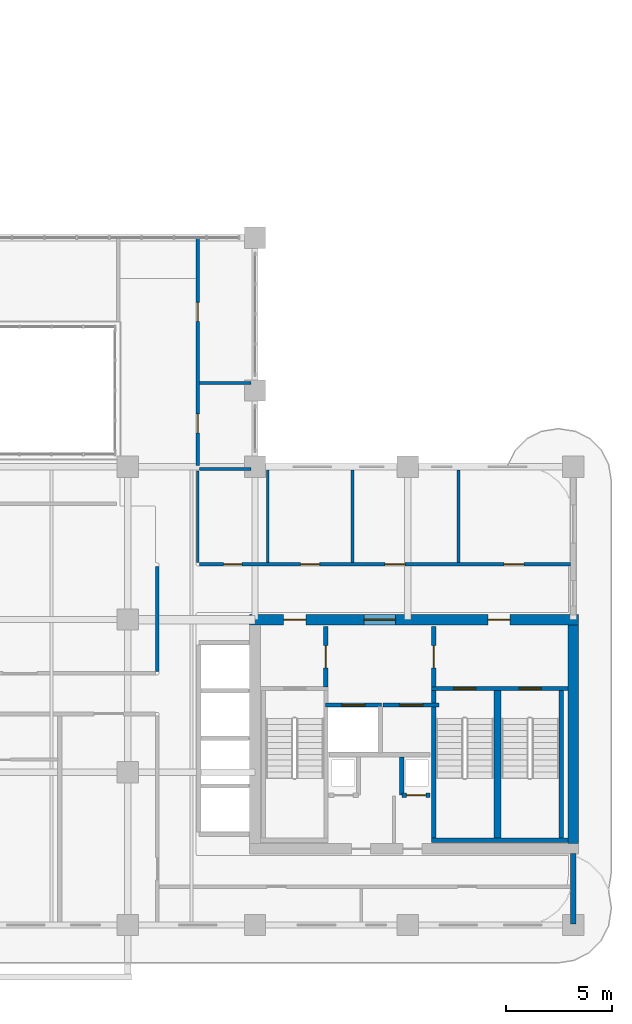
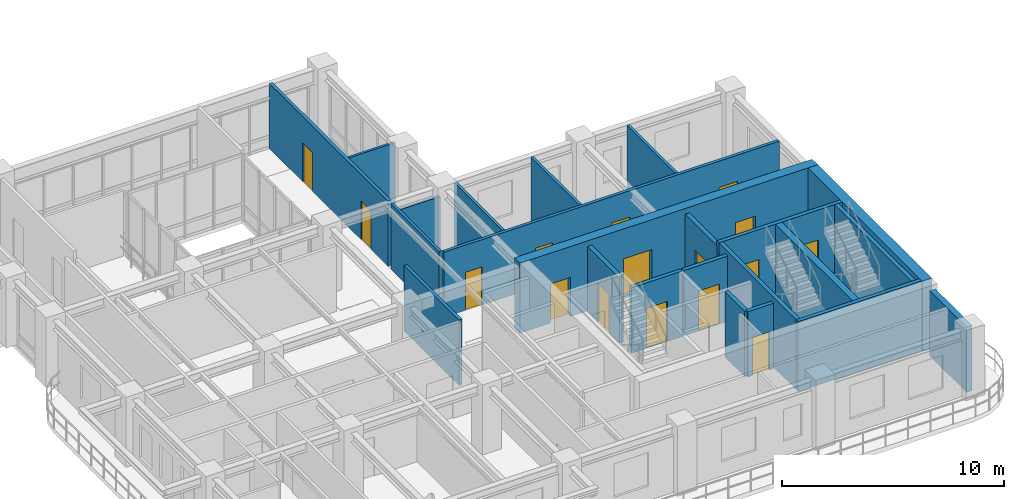
# One storey, part 13 of 19: 23 walls, 16 doors, 16 openings.
"""IFC4 building model written with IfcOpenShell, lengths in metres."""

from ifc_helpers import new_model, si_unit, derived_unit, direction, frame, frame_2d, origin, place, context, subcontext, project, spatial, rectangle, extrude, source, transform, mapped, material, layer, layer_set, type_object, type_shapes, element, fill, save


model = new_model("IFC4")

# Units and contexts
model_context = context("Model", 3, precision=1e-05, world=origin(), true_north=direction((0.0, 1.0)))
body_context = subcontext(model_context, "Body", "Model", "MODEL_VIEW")
ifc_project = project(units=[si_unit("LENGTHUNIT", "METRE"), si_unit("AREAUNIT", "SQUARE_METRE"), si_unit("VOLUMEUNIT", "CUBIC_METRE"), si_unit("PLANEANGLEUNIT", "RADIAN"), si_unit("MASSUNIT", "GRAM", prefix="KILO"), si_unit("THERMODYNAMICTEMPERATUREUNIT", "KELVIN"), si_unit("POWERUNIT", "WATT"), derived_unit("THERMALTRANSMITTANCEUNIT", [(si_unit("POWERUNIT", "WATT"), 1), (si_unit("AREAUNIT", "SQUARE_METRE"), -1), (si_unit("THERMODYNAMICTEMPERATUREUNIT", "KELVIN"), -1)])], contexts=[model_context])

# Site, building, storey
site_placement = place(None, origin())
site = spatial("IfcSite", under=ifc_project, at=site_placement, CompositionType="ELEMENT")
building_placement = place(site_placement, origin())
building = spatial("IfcBuilding", under=site, at=building_placement, Name="Zahravan Archway Hotel and Residences", CompositionType="ELEMENT")
storey_placement = place(building_placement, frame((0.0, 0.0, 150.300048828125)))
storey = spatial("IfcBuildingStorey", under=building, at=storey_placement, Name="L37", CompositionType="ELEMENT", Elevation=150.300048828125)

# Wall, openings, doors
ifc_material_1 = material(Name="Concrete C60/75", Category="concrete")
ifc_layer_1 = layer(ifc_material_1, 0.5, Name="Concrete C60/75", Category="concrete")
ifc_layer_set_1 = layer_set([ifc_layer_1], Name="Concrete C60/75")
wall_type_1 = type_object("IfcWallType", Name="CW-CORE-500", PredefinedType="SHEAR", material=ifc_layer_set_1)
wall_1_placement = place(storey_placement, frame((34.550048828125, 14.39990234375, 0.0), z_axis=(0.0, 0.0, 1.0), x_axis=(1.0, 0.0, 0.0)))
wall_1 = element("IfcWall", 1, at=wall_1_placement, inside=storey, type_object=wall_type_1, Name="L37 Core A Shear N Wall 500 mm", PredefinedType="SHEAR", context=body_context, shape_type="SweptSolid", body=[
    extrude(rectangle(XDim=15.5, YDim=0.5, at=frame_2d((7.75, 0.0))), origin(), (0.0, 0.0, 1.0), 3.849853515625),
])
opening_1_placement = place(wall_1_placement, frame((5.3798828125, 0.0, 0.0)))
opening_1 = element("IfcOpeningElement", 2, at=opening_1_placement, cuts=wall_1, Name="Opening FD-L1", PredefinedType="OPENING", context=body_context, shape_type="SweptSolid", body=[
    extrude(rectangle(XDim=1.5, YDim=2.199951171875, at=frame_2d((0.75, 1.10009765625))), frame((0.0, 0.260009765625, 0.0), z_axis=(0.0, -1.0, 0.0), x_axis=(1.0, 0.0, 0.0)), (0.0, 0.0, 1.0), 0.52001953125),
])
opening_2_placement = place(wall_1_placement, frame((1.594970703125, 0.0, 0.0)))
opening_2 = element("IfcOpeningElement", 3, at=opening_2_placement, cuts=wall_1, Name="Opening FD-L2", PredefinedType="OPENING", context=body_context, shape_type="SweptSolid", body=[
    extrude(rectangle(XDim=1.050048828125, YDim=2.14990234375, at=frame_2d((0.52490234375, 1.074951171875))), frame((0.0, 0.260009765625, 0.0), z_axis=(0.0, -1.0, 0.0), x_axis=(1.0, 0.0, 0.0)), (0.0, 0.0, 1.0), 0.52001953125),
])
opening_3_placement = place(wall_1_placement, frame((11.22509765625, 0.0, 0.0)))
opening_3 = element("IfcOpeningElement", 4, at=opening_3_placement, cuts=wall_1, Name="Opening FD-L2", PredefinedType="OPENING", context=body_context, shape_type="SweptSolid", body=[
    extrude(rectangle(XDim=1.050048828125, YDim=2.14990234375, at=frame_2d((0.52490234375, 1.074951171875))), frame((0.0, 0.260009765625, 0.0), z_axis=(0.0, -1.0, 0.0), x_axis=(1.0, 0.0, 0.0)), (0.0, 0.0, 1.0), 0.52001953125),
])
ifc_material_2 = material(Name="Fire-Rated Painted Steel", Category="steel")
door_type_1 = type_object("IfcDoorType", Name="FD-LOBBY-1100", OperationType="NOTDEFINED", PredefinedType="DOOR", material=ifc_material_2)
shared_shape_1 = source(origin(), body_context, "Body", "SweptSolid", [
    extrude(rectangle(XDim=1.050048828125, YDim=2.14990234375, at=frame_2d((0.52490234375, 1.074951171875))), frame((0.0, 0.02490234375, 0.0), z_axis=(0.0, -1.0, 0.0), x_axis=(1.0, 0.0, 0.0)), (0.0, 0.0, 1.0), 0.050048828125),
])
type_shapes(door_type_1, [shared_shape_1])
door_1_placement = place(opening_2_placement, origin())
door_1 = element("IfcDoor", 5, at=door_1_placement, inside=storey, type_object=door_type_1, Name="L37 Core A West Stair Lobby Door", OperationType="SINGLE_SWING_RIGHT", OverallHeight=2.14990234375, OverallWidth=1.050048828125, PredefinedType="DOOR", context=body_context, shape_type="MappedRepresentation", body=[
    mapped(shared_shape_1, transform((0.0, 0.0, 0.0), scale=1.0)),
])
fill(opening_2, door_1)
door_2_placement = place(opening_3_placement, origin())
door_2 = element("IfcDoor", 6, at=door_2_placement, inside=storey, type_object=door_type_1, Name="L37 Core A East Stair Lobby Door", OperationType="SINGLE_SWING_LEFT", OverallHeight=2.14990234375, OverallWidth=1.050048828125, PredefinedType="DOOR", context=body_context, shape_type="MappedRepresentation", body=[
    mapped(shared_shape_1, transform((0.0, 0.0, 0.0), scale=1.0)),
])
fill(opening_3, door_2)
door_type_2 = type_object("IfcDoorType", Name="FD-LOBBY-1500", OperationType="DOUBLE_DOOR_SINGLE_SWING", PredefinedType="DOOR", material=ifc_material_2)
shared_shape_2 = source(origin(), body_context, "Body", "SweptSolid", [
    extrude(rectangle(XDim=1.5, YDim=2.199951171875, at=frame_2d((0.75, 1.10009765625))), frame((0.0, 0.02490234375, 0.0), z_axis=(0.0, -1.0, 0.0), x_axis=(1.0, 0.0, 0.0)), (0.0, 0.0, 1.0), 0.050048828125),
])
type_shapes(door_type_2, [shared_shape_2])
door_3_placement = place(opening_1_placement, origin())
door_3 = element("IfcDoor", 7, at=door_3_placement, inside=storey, type_object=door_type_2, Name="L37 Core A FSAE Lobby Main Door", OperationType="DOUBLE_DOOR_SINGLE_SWING", OverallHeight=2.199951171875, OverallWidth=1.5, PredefinedType="DOOR", context=body_context, shape_type="MappedRepresentation", body=[
    mapped(shared_shape_2, transform((0.0, 0.0, 0.0), scale=1.0)),
])
fill(opening_1, door_3)

# Walls
wall_2_placement = place(storey_placement, frame((49.800048828125, 3.85009765625, 0.0), z_axis=(0.0, 0.0, 1.0), x_axis=(0.0, 1.0, 0.0)))
element("IfcWall", 8, at=wall_2_placement, inside=storey, type_object=wall_type_1, Name="L37 Core A Shear E Wall 500 mm", PredefinedType="SHEAR", context=body_context, shape_type="SweptSolid", body=[
    extrude(rectangle(XDim=10.2998046875, YDim=0.5, at=frame_2d((5.14990234375, 0.0))), origin(), (0.0, 0.0, 1.0), 3.849853515625),
])
ifc_material_3 = material(Name="Honed Red-Ochre Sandstone & Insulated Block", Category="masonry")
ifc_layer_2 = layer(ifc_material_3, 0.280029296875, Name="Honed Red-Ochre Sandstone & Insulated Block", Category="masonry")
ifc_layer_set_2 = layer_set([ifc_layer_2], Name="Honed Red-Ochre Sandstone & Insulated Block")
wall_type_2 = type_object("IfcWallType", Name="EW-LOG-280", PredefinedType="SOLIDWALL", material=ifc_layer_set_2)
wall_3_placement = place(storey_placement, frame((49.800048828125, 0.050048828125, 0.0), z_axis=(0.0, 0.0, 1.0), x_axis=(0.0, 1.0, 0.0)))
element("IfcWall", 9, at=wall_3_placement, inside=storey, type_object=wall_type_2, Name="L37 Exterior Sandstone Wall WA-ES", PredefinedType="SOLIDWALL", context=body_context, shape_type="SweptSolid", body=[
    extrude(rectangle(XDim=3.329833984375, YDim=0.280029296875, at=frame_2d((1.6650390625, 0.0))), origin(), (0.0, 0.0, 1.0), 3.599853515625),
])

# Wall, opening, door
ifc_material_4 = material(Name="Fire-Rated Gypsum & Concrete Block", Category="concrete")
ifc_layer_3 = layer(ifc_material_4, 0.219970703125, Name="Fire-Rated Gypsum & Concrete Block", Category="concrete")
ifc_layer_set_3 = layer_set([ifc_layer_3], Name="Fire-Rated Gypsum & Concrete Block")
wall_type_3 = type_object("IfcWallType", Name="PW-COMP-220", PredefinedType="PARTITIONING", material=ifc_layer_set_3)
wall_4_placement = place(storey_placement, frame((38.139892578125, 11.219970703125, 0.0), z_axis=(0.0, 0.0, 1.0), x_axis=(0.0, 1.0, 0.0)))
wall_4 = element("IfcWall", 10, at=wall_4_placement, inside=storey, type_object=wall_type_3, Name="L37 Partition CA-LOBW", PredefinedType="PARTITIONING", context=body_context, shape_type="SweptSolid", body=[
    extrude(rectangle(XDim=2.860107421875, YDim=0.219970703125, at=frame_2d((1.43017578125, 0.0))), origin(), (0.0, 0.0, 1.0), 3.599853515625),
])
opening_4_placement = place(wall_4_placement, frame((0.905029296875, 0.0, 0.0)))
opening_4 = element("IfcOpeningElement", 11, at=opening_4_placement, cuts=wall_4, Name="Opening FD-L2", PredefinedType="OPENING", context=body_context, shape_type="SweptSolid", body=[
    extrude(rectangle(XDim=1.050048828125, YDim=2.14990234375, at=frame_2d((0.52490234375, 1.074951171875))), frame((0.0, 0.1201171875, 0.0), z_axis=(0.0, -1.0, 0.0), x_axis=(1.0, 0.0, 0.0)), (0.0, 0.0, 1.0), 0.239990234375),
])
door_4_placement = place(opening_4_placement, origin())
door_4 = element("IfcDoor", 12, at=door_4_placement, inside=storey, type_object=door_type_1, Name="L37 Core A West Stair to FSAE Lobby Door", OperationType="SINGLE_SWING_RIGHT", OverallHeight=2.14990234375, OverallWidth=1.050048828125, PredefinedType="DOOR", context=body_context, shape_type="MappedRepresentation", body=[
    mapped(shared_shape_1, transform((0.0, 0.0, 0.0), scale=1.0)),
])
fill(opening_4, door_4)

wall_5_placement = place(storey_placement, frame((43.219970703125, 11.219970703125, 0.0), z_axis=(0.0, 0.0, 1.0), x_axis=(0.0, 1.0, 0.0)))
wall_5 = element("IfcWall", 13, at=wall_5_placement, inside=storey, type_object=wall_type_3, Name="L37 Partition CA-LOBE", PredefinedType="PARTITIONING", context=body_context, shape_type="SweptSolid", body=[
    extrude(rectangle(XDim=2.860107421875, YDim=0.219970703125, at=frame_2d((1.43017578125, 0.0))), origin(), (0.0, 0.0, 1.0), 3.599853515625),
])
opening_5_placement = place(wall_5_placement, frame((0.905029296875, 0.0, 0.0)))
opening_5 = element("IfcOpeningElement", 14, at=opening_5_placement, cuts=wall_5, Name="Opening FD-L2", PredefinedType="OPENING", context=body_context, shape_type="SweptSolid", body=[
    extrude(rectangle(XDim=1.050048828125, YDim=2.14990234375, at=frame_2d((0.52490234375, 1.074951171875))), frame((0.0, 0.1201171875, 0.0), z_axis=(0.0, -1.0, 0.0), x_axis=(1.0, 0.0, 0.0)), (0.0, 0.0, 1.0), 0.239990234375),
])
door_5_placement = place(opening_5_placement, origin())
door_5 = element("IfcDoor", 15, at=door_5_placement, inside=storey, type_object=door_type_1, Name="L37 Core A East Stair to FSAE Lobby Door", OperationType="SINGLE_SWING_LEFT", OverallHeight=2.14990234375, OverallWidth=1.050048828125, PredefinedType="DOOR", context=body_context, shape_type="MappedRepresentation", body=[
    mapped(shared_shape_1, transform((0.0, 0.0, 0.0), scale=1.0)),
])
fill(opening_5, door_5)

# Wall
ifc_layer_4 = layer(ifc_material_4, 0.159912109375, Name="Fire-Rated Gypsum & Concrete Block", Category="concrete")
ifc_layer_set_4 = layer_set([ifc_layer_4], Name="Fire-Rated Gypsum & Concrete Block")
wall_type_4 = type_object("IfcWallType", Name="PW-CORR-160", PredefinedType="PARTITIONING", material=ifc_layer_set_4)
wall_6_placement = place(storey_placement, frame((30.199951171875, 11.9599609375, 0.0), z_axis=(0.0, 0.0, 1.0), x_axis=(0.0, 1.0, 0.0)))
element("IfcWall", 16, at=wall_6_placement, inside=storey, type_object=wall_type_4, Name="L37 Partition WA-FW", PredefinedType="PARTITIONING", context=body_context, shape_type="SweptSolid", body=[
    extrude(rectangle(XDim=4.949951171875, YDim=0.159912109375, at=frame_2d((2.47509765625, 0.0))), origin(), (0.0, 0.0, 1.0), 3.599853515625),
])

# Wall, openings, doors
wall_7_placement = place(storey_placement, frame((32.18994140625, 17.0, 0.0), z_axis=(0.0, 0.0, 1.0), x_axis=(1.0, 0.0, 0.0)))
wall_7 = element("IfcWall", 17, at=wall_7_placement, inside=storey, type_object=wall_type_4, Name="L37 Partition WA-FN", PredefinedType="PARTITIONING", context=body_context, shape_type="SweptSolid", body=[
    extrude(rectangle(XDim=17.469970703125, YDim=0.159912109375, at=frame_2d((8.73486328125, 0.0))), origin(), (0.0, 0.0, 1.0), 3.599853515625),
])
opening_6_placement = place(wall_7_placement, frame((1.135009765625, 0.0, 0.0)))
opening_6 = element("IfcOpeningElement", 18, at=opening_6_placement, cuts=wall_7, Name="Opening D-B1", PredefinedType="OPENING", context=body_context, shape_type="SweptSolid", body=[
    extrude(rectangle(XDim=0.85009765625, YDim=2.10009765625, at=frame_2d((0.425048828125, 1.050048828125))), frame((0.0, 0.08984375, 0.0), z_axis=(0.0, -1.0, 0.0), x_axis=(1.0, 0.0, 0.0)), (0.0, 0.0, 1.0), 0.179931640625),
])
opening_7_placement = place(wall_7_placement, frame((4.760009765625, 0.0, 0.0)))
opening_7 = element("IfcOpeningElement", 19, at=opening_7_placement, cuts=wall_7, Name="Opening D-I2", PredefinedType="OPENING", context=body_context, shape_type="SweptSolid", body=[
    extrude(rectangle(XDim=0.89990234375, YDim=2.14990234375, at=frame_2d((0.449951171875, 1.074951171875))), frame((0.0, 0.08984375, 0.0), z_axis=(0.0, -1.0, 0.0), x_axis=(1.0, 0.0, 0.0)), (0.0, 0.0, 1.0), 0.179931640625),
])
opening_8_placement = place(wall_7_placement, frame((8.735107421875, 0.0, 0.0)))
opening_8 = element("IfcOpeningElement", 20, at=opening_8_placement, cuts=wall_7, Name="Opening D-I1", PredefinedType="OPENING", context=body_context, shape_type="SweptSolid", body=[
    extrude(rectangle(XDim=0.949951171875, YDim=2.14990234375, at=frame_2d((0.47509765625, 1.074951171875))), frame((0.0, 0.08984375, 0.0), z_axis=(0.0, -1.0, 0.0), x_axis=(1.0, 0.0, 0.0)), (0.0, 0.0, 1.0), 0.179931640625),
])
opening_9_placement = place(wall_7_placement, frame((14.3349609375, 0.0, 0.0)))
opening_9 = element("IfcOpeningElement", 21, at=opening_9_placement, cuts=wall_7, Name="Opening D-I1", PredefinedType="OPENING", context=body_context, shape_type="SweptSolid", body=[
    extrude(rectangle(XDim=0.949951171875, YDim=2.14990234375, at=frame_2d((0.47509765625, 1.074951171875))), frame((0.0, 0.08984375, 0.0), z_axis=(0.0, -1.0, 0.0), x_axis=(1.0, 0.0, 0.0)), (0.0, 0.0, 1.0), 0.179931640625),
])
ifc_material_5 = material(Name="Hardwood Veneer Timber", Category="wood")
door_type_3 = type_object("IfcDoorType", Name="ID-BATH-850", OperationType="NOTDEFINED", PredefinedType="DOOR", material=ifc_material_5)
shared_shape_3 = source(origin(), body_context, "Body", "SweptSolid", [
    extrude(rectangle(XDim=0.85009765625, YDim=2.10009765625, at=frame_2d((0.425048828125, 1.050048828125))), frame((0.0, 0.02490234375, 0.0), z_axis=(0.0, -1.0, 0.0), x_axis=(1.0, 0.0, 0.0)), (0.0, 0.0, 1.0), 0.050048828125),
])
type_shapes(door_type_3, [shared_shape_3])
door_6_placement = place(opening_6_placement, origin())
door_6 = element("IfcDoor", 22, at=door_6_placement, inside=storey, type_object=door_type_3, Name="L37 Accessible WC Door", OperationType="SINGLE_SWING_RIGHT", OverallHeight=2.10009765625, OverallWidth=0.85009765625, PredefinedType="DOOR", context=body_context, shape_type="MappedRepresentation", body=[
    mapped(shared_shape_3, transform((0.0, 0.0, 0.0), scale=1.0)),
])
fill(opening_6, door_6)
door_type_4 = type_object("IfcDoorType", Name="ID-INT-950", OperationType="NOTDEFINED", PredefinedType="DOOR", material=ifc_material_5)
shared_shape_4 = source(origin(), body_context, "Body", "SweptSolid", [
    extrude(rectangle(XDim=0.949951171875, YDim=2.14990234375, at=frame_2d((0.47509765625, 1.074951171875))), frame((0.0, 0.02490234375, 0.0), z_axis=(0.0, -1.0, 0.0), x_axis=(1.0, 0.0, 0.0)), (0.0, 0.0, 1.0), 0.050048828125),
])
type_shapes(door_type_4, [shared_shape_4])
door_7_placement = place(opening_8_placement, origin())
door_7 = element("IfcDoor", 23, at=door_7_placement, inside=storey, type_object=door_type_4, Name="L37 Boardroom Door", OperationType="SINGLE_SWING_RIGHT", OverallHeight=2.14990234375, OverallWidth=0.949951171875, PredefinedType="DOOR", context=body_context, shape_type="MappedRepresentation", body=[
    mapped(shared_shape_4, transform((0.0, 0.0, 0.0), scale=1.0)),
])
fill(opening_8, door_7)
door_8_placement = place(opening_9_placement, origin())
door_8 = element("IfcDoor", 24, at=door_8_placement, inside=storey, type_object=door_type_4, Name="L37 Therapy Clinic Door", OperationType="SINGLE_SWING_LEFT", OverallHeight=2.14990234375, OverallWidth=0.949951171875, PredefinedType="DOOR", context=body_context, shape_type="MappedRepresentation", body=[
    mapped(shared_shape_4, transform((0.0, 0.0, 0.0), scale=1.0)),
])
fill(opening_9, door_8)
door_type_5 = type_object("IfcDoorType", Name="ID-INT-900", OperationType="NOTDEFINED", PredefinedType="DOOR", material=ifc_material_5)
shared_shape_5 = source(origin(), body_context, "Body", "SweptSolid", [
    extrude(rectangle(XDim=0.89990234375, YDim=2.14990234375, at=frame_2d((0.449951171875, 1.074951171875))), frame((0.0, 0.02490234375, 0.0), z_axis=(0.0, -1.0, 0.0), x_axis=(1.0, 0.0, 0.0)), (0.0, 0.0, 1.0), 0.050048828125),
])
type_shapes(door_type_5, [shared_shape_5])
door_9_placement = place(opening_7_placement, origin())
door_9 = element("IfcDoor", 25, at=door_9_placement, inside=storey, type_object=door_type_5, Name="L37 Pantry Door", OperationType="SINGLE_SWING_LEFT", OverallHeight=2.14990234375, OverallWidth=0.89990234375, PredefinedType="DOOR", context=body_context, shape_type="MappedRepresentation", body=[
    mapped(shared_shape_5, transform((0.0, 0.0, 0.0), scale=1.0)),
])
fill(opening_7, door_9)

# Wall
ifc_material_6 = material(Name="Acoustic Stud Partition")
ifc_layer_5 = layer(ifc_material_6, 0.125, Name="Acoustic Stud Partition")
ifc_layer_set_5 = layer_set([ifc_layer_5], Name="Acoustic Stud Partition")
wall_type_5 = type_object("IfcWallType", Name="PW-INT-125", PredefinedType="PARTITIONING", material=ifc_layer_set_5)
wall_8_placement = place(storey_placement, frame((32.18994140625, 25.550048828125, 0.0), z_axis=(0.0, 0.0, 1.0), x_axis=(1.0, 0.0, 0.0)))
element("IfcWall", 26, at=wall_8_placement, inside=storey, type_object=wall_type_5, Name="L37 Partition ATR-EM1", PredefinedType="PARTITIONING", context=body_context, shape_type="SweptSolid", body=[
    extrude(rectangle(XDim=2.420166015625, YDim=0.125, at=frame_2d((1.2099609375, 0.0))), origin(), (0.0, 0.0, 1.0), 3.599853515625),
])

# Wall, opening, door
ifc_layer_6 = layer(ifc_material_4, 0.199951171875, Name="Fire-Rated Gypsum & Concrete Block", Category="concrete")
ifc_layer_set_6 = layer_set([ifc_layer_6], Name="Fire-Rated Gypsum & Concrete Block")
wall_type_6 = type_object("IfcWallType", Name="PW-SHAFT-200", PredefinedType="PARTITIONING", material=ifc_layer_set_6)
wall_9_placement = place(storey_placement, frame((41.72998046875, 6.1201171875, 0.0), z_axis=(0.0, 0.0, 1.0), x_axis=(1.0, 0.0, 0.0)))
wall_9 = element("IfcWall", 27, at=wall_9_placement, inside=storey, type_object=wall_type_6, Name="L37 Partition CA-MEPS", PredefinedType="PARTITIONING", context=body_context, shape_type="SweptSolid", body=[
    extrude(rectangle(XDim=1.320068359375, YDim=0.199951171875, at=frame_2d((0.66015625, 0.0))), origin(), (0.0, 0.0, 1.0), 3.599853515625),
])
opening_10_placement = place(wall_9_placement, frame((0.219970703125, 0.0, 0.0)))
opening_10 = element("IfcOpeningElement", 28, at=opening_10_placement, cuts=wall_9, Name="Opening FD-R1", PredefinedType="OPENING", context=body_context, shape_type="SweptSolid", body=[
    extrude(rectangle(XDim=0.89990234375, YDim=2.10009765625, at=frame_2d((0.449951171875, 1.050048828125))), frame((0.0, 0.10986328125, 0.0), z_axis=(0.0, -1.0, 0.0), x_axis=(1.0, 0.0, 0.0)), (0.0, 0.0, 1.0), 0.219970703125),
])
door_type_6 = type_object("IfcDoorType", Name="FD-RISER-900", OperationType="NOTDEFINED", PredefinedType="DOOR", material=ifc_material_2)
shared_shape_6 = source(origin(), body_context, "Body", "SweptSolid", [
    extrude(rectangle(XDim=0.89990234375, YDim=2.10009765625, at=frame_2d((0.449951171875, 1.050048828125))), frame((0.0, 0.02490234375, 0.0), z_axis=(0.0, -1.0, 0.0), x_axis=(1.0, 0.0, 0.0)), (0.0, 0.0, 1.0), 0.050048828125),
])
type_shapes(door_type_6, [shared_shape_6])
door_10_placement = place(opening_10_placement, origin())
door_10 = element("IfcDoor", 29, at=door_10_placement, inside=storey, type_object=door_type_6, Name="L37 MEP Riser Access Door", OperationType="SINGLE_SWING_LEFT", OverallHeight=2.10009765625, OverallWidth=0.89990234375, PredefinedType="DOOR", context=body_context, shape_type="MappedRepresentation", body=[
    mapped(shared_shape_6, transform((0.0, 0.0, 0.0), scale=1.0)),
])
fill(opening_10, door_10)

# Wall
wall_10_placement = place(storey_placement, frame((41.719970703125, 6.1298828125, 0.0), z_axis=(0.0, 0.0, 1.0), x_axis=(0.0, 1.0, 0.0)))
element("IfcWall", 30, at=wall_10_placement, inside=storey, type_object=wall_type_6, Name="L37 Partition CA-MEPW", PredefinedType="PARTITIONING", context=body_context, shape_type="SweptSolid", body=[
    extrude(rectangle(XDim=1.7900390625, YDim=0.199951171875, at=frame_2d((0.89501953125, 0.0))), origin(), (0.0, 0.0, 1.0), 3.599853515625),
])

# Wall, opening, door
wall_11_placement = place(storey_placement, frame((38.1201171875, 10.3701171875, 0.0), z_axis=(0.0, 0.0, 1.0), x_axis=(1.0, 0.0, 0.0)))
wall_11 = element("IfcWall", 31, at=wall_11_placement, inside=storey, type_object=wall_type_6, Name="L37 Lift FL-1 Front Wall", PredefinedType="PARTITIONING", context=body_context, shape_type="SweptSolid", body=[
    extrude(rectangle(XDim=2.639892578125, YDim=0.199951171875, at=frame_2d((1.31982421875, 0.0))), origin(), (0.0, 0.0, 1.0), 3.599853515625),
])
opening_11_placement = place(wall_11_placement, frame((0.77001953125, 0.0, 0.0)))
opening_11 = element("IfcOpeningElement", 32, at=opening_11_placement, cuts=wall_11, Name="Opening LD", PredefinedType="OPENING", context=body_context, shape_type="SweptSolid", body=[
    extrude(rectangle(XDim=1.10009765625, YDim=2.199951171875, at=frame_2d((0.550048828125, 1.10009765625))), frame((0.0, 0.10986328125, 0.0), z_axis=(0.0, -1.0, 0.0), x_axis=(1.0, 0.0, 0.0)), (0.0, 0.0, 1.0), 0.219970703125),
])
ifc_material_7 = material(Name="Brushed Stainless Steel", Category="steel")
door_type_7 = type_object("IfcDoorType", Name="DR-LIFT-LD", OperationType="SLIDING_TO_LEFT", PredefinedType="DOOR", material=ifc_material_7)
shared_shape_7 = source(origin(), body_context, "Body", "SweptSolid", [
    extrude(rectangle(XDim=1.10009765625, YDim=2.199951171875, at=frame_2d((0.550048828125, 1.10009765625))), frame((0.0, 0.02490234375, 0.0), z_axis=(0.0, -1.0, 0.0), x_axis=(1.0, 0.0, 0.0)), (0.0, 0.0, 1.0), 0.050048828125),
])
type_shapes(door_type_7, [shared_shape_7])
door_11_placement = place(opening_11_placement, origin())
door_11 = element("IfcDoor", 33, at=door_11_placement, inside=storey, type_object=door_type_7, Name="L37 Lift FL-1 Sliding Landing Door", OperationType="SLIDING_TO_LEFT", OverallHeight=2.199951171875, OverallWidth=1.10009765625, PredefinedType="DOOR", context=body_context, shape_type="MappedRepresentation", body=[
    mapped(shared_shape_7, transform((0.0, 0.0, 0.0), scale=1.0)),
])
fill(opening_11, door_11)

wall_12_placement = place(storey_placement, frame((40.840087890625, 10.3701171875, 0.0), z_axis=(0.0, 0.0, 1.0), x_axis=(1.0, 0.0, 0.0)))
wall_12 = element("IfcWall", 34, at=wall_12_placement, inside=storey, type_object=wall_type_6, Name="L37 Lift FL-2 Front Wall", PredefinedType="PARTITIONING", context=body_context, shape_type="SweptSolid", body=[
    extrude(rectangle(XDim=2.639892578125, YDim=0.199951171875, at=frame_2d((1.31982421875, 0.0))), origin(), (0.0, 0.0, 1.0), 3.599853515625),
])
opening_12_placement = place(wall_12_placement, frame((0.77001953125, 0.0, 0.0)))
opening_12 = element("IfcOpeningElement", 35, at=opening_12_placement, cuts=wall_12, Name="Opening LD", PredefinedType="OPENING", context=body_context, shape_type="SweptSolid", body=[
    extrude(rectangle(XDim=1.10009765625, YDim=2.199951171875, at=frame_2d((0.550048828125, 1.10009765625))), frame((0.0, 0.10986328125, 0.0), z_axis=(0.0, -1.0, 0.0), x_axis=(1.0, 0.0, 0.0)), (0.0, 0.0, 1.0), 0.219970703125),
])
door_12_placement = place(opening_12_placement, origin())
door_12 = element("IfcDoor", 36, at=door_12_placement, inside=storey, type_object=door_type_7, Name="L37 Lift FL-2 Sliding Landing Door", OperationType="SLIDING_TO_LEFT", OverallHeight=2.199951171875, OverallWidth=1.10009765625, PredefinedType="DOOR", context=body_context, shape_type="MappedRepresentation", body=[
    mapped(shared_shape_7, transform((0.0, 0.0, 0.0), scale=1.0)),
])
fill(opening_12, door_12)

# Wall, openings, doors
ifc_layer_7 = layer(ifc_material_6, 0.169921875, Name="Acoustic Stud Partition")
ifc_layer_set_7 = layer_set([ifc_layer_7], Name="Acoustic Stud Partition")
wall_type_7 = type_object("IfcWallType", Name="PW-UNIT-170", PredefinedType="PARTITIONING", material=ifc_layer_set_7)
wall_13_placement = place(storey_placement, frame((32.10009765625, 21.669921875, 0.0), z_axis=(0.0, 0.0, 1.0), x_axis=(0.0, 1.0, 0.0)))
wall_13 = element("IfcWall", 37, at=wall_13_placement, inside=storey, type_object=wall_type_7, Name="L37 Partition ATR-E", PredefinedType="PARTITIONING", context=body_context, shape_type="SweptSolid", body=[
    extrude(rectangle(XDim=10.7021484375, YDim=0.169921875, at=frame_2d((5.35107421875, 0.0))), origin(), (0.0, 0.0, 1.0), 3.599853515625),
])
opening_13_placement = place(wall_13_placement, frame((1.530029296875, 0.0, 0.0)))
opening_13 = element("IfcOpeningElement", 38, at=opening_13_placement, cuts=wall_13, Name="Opening D-I2", PredefinedType="OPENING", context=body_context, shape_type="SweptSolid", body=[
    extrude(rectangle(XDim=0.89990234375, YDim=2.14990234375, at=frame_2d((0.449951171875, 1.074951171875))), frame((0.0, 0.094970703125, 0.0), z_axis=(0.0, -1.0, 0.0), x_axis=(1.0, 0.0, 0.0)), (0.0, 0.0, 1.0), 0.18994140625),
])
opening_14_placement = place(wall_13_placement, frame((6.780029296875, 0.0, 0.0)))
opening_14 = element("IfcOpeningElement", 39, at=opening_14_placement, cuts=wall_13, Name="Opening D-I2", PredefinedType="OPENING", context=body_context, shape_type="SweptSolid", body=[
    extrude(rectangle(XDim=0.89990234375, YDim=2.14990234375, at=frame_2d((0.449951171875, 1.074951171875))), frame((0.0, 0.094970703125, 0.0), z_axis=(0.0, -1.0, 0.0), x_axis=(1.0, 0.0, 0.0)), (0.0, 0.0, 1.0), 0.18994140625),
])
door_13_placement = place(opening_13_placement, origin())
door_13 = element("IfcDoor", 40, at=door_13_placement, inside=storey, type_object=door_type_5, Name="L37 Atrium Office Door", OperationType="SINGLE_SWING_LEFT", OverallHeight=2.14990234375, OverallWidth=0.89990234375, PredefinedType="DOOR", context=body_context, shape_type="MappedRepresentation", body=[
    mapped(shared_shape_5, transform((0.0, 0.0, 0.0), scale=1.0)),
])
fill(opening_13, door_13)
door_14_placement = place(opening_14_placement, origin())
door_14 = element("IfcDoor", 41, at=door_14_placement, inside=storey, type_object=door_type_5, Name="L37 Atrium Boardroom Door", OperationType="SINGLE_SWING_RIGHT", OverallHeight=2.14990234375, OverallWidth=0.89990234375, PredefinedType="DOOR", context=body_context, shape_type="MappedRepresentation", body=[
    mapped(shared_shape_5, transform((0.0, 0.0, 0.0), scale=1.0)),
])
fill(opening_14, door_14)

# Walls
ifc_material_8 = material(Name="Moisture-Resistant Blockwork", Category="masonry")
ifc_layer_8 = layer(ifc_material_8, 0.139892578125, Name="Moisture-Resistant Blockwork", Category="masonry")
ifc_layer_set_8 = layer_set([ifc_layer_8], Name="Moisture-Resistant Blockwork")
wall_type_8 = type_object("IfcWallType", Name="PW-WET-140", PredefinedType="PARTITIONING", material=ifc_layer_set_8)
wall_14_placement = place(storey_placement, frame((32.10009765625, 17.090087890625, 0.0), z_axis=(0.0, 0.0, 1.0), x_axis=(0.0, 1.0, 0.0)))
element("IfcWall", 42, at=wall_14_placement, inside=storey, type_object=wall_type_8, Name="L37 Partition NE-W0", PredefinedType="PARTITIONING", context=body_context, shape_type="SweptSolid", body=[
    extrude(rectangle(XDim=4.31982421875, YDim=0.139892578125, at=frame_2d((2.159912109375, 0.0))), origin(), (0.0, 0.0, 1.0), 3.599853515625),
])
for number, where, z_axis, x_axis, name in (
    (43, (35.39990234375, 17.090087890625, 0.0), (0.0, 0.0, 1.0), (0.0, 1.0, 0.0), "L37 Partition NE2-1"),
    (44, (39.39990234375, 17.090087890625, 0.0), (0.0, 0.0, 1.0), (0.0, 1.0, 0.0), "L37 Partition NE2-2"),
    (45, (44.39990234375, 17.090087890625, 0.0), (0.0, 0.0, 1.0), (0.0, 1.0, 0.0), "L37 Partition NE2-3"),
):
    element("IfcWall", number, at=place(storey_placement, frame(where, z_axis=z_axis, x_axis=x_axis)), inside=storey, type_object=wall_type_8, Name=name, PredefinedType="PARTITIONING", context=body_context, shape_type="SweptSolid", body=[
        extrude(rectangle(XDim=4.36181640625, YDim=0.139892578125, at=frame_2d((2.180908203125, 0.0))), origin(), (0.0, 0.0, 1.0), 3.599853515625),
    ])
wall_15_placement = place(storey_placement, frame((32.18994140625, 21.5, 0.0), z_axis=(0.0, 0.0, 1.0), x_axis=(1.0, 0.0, 0.0)))
element("IfcWall", 46, at=wall_15_placement, inside=storey, type_object=wall_type_8, Name="L37 Partition ATR-ES", PredefinedType="PARTITIONING", context=body_context, shape_type="SweptSolid", body=[
    extrude(rectangle(XDim=2.420166015625, YDim=0.139892578125, at=frame_2d((1.2099609375, 0.0))), origin(), (0.0, 0.0, 1.0), 3.0849609375),
])
ifc_material_9 = material(Name="Concrete C50/60", Category="concrete")
ifc_layer_9 = layer(ifc_material_9, 0.199951171875, Name="Concrete C50/60", Category="concrete")
ifc_layer_set_9 = layer_set([ifc_layer_9], Name="Concrete C50/60")
wall_type_9 = type_object("IfcWallType", Name="SW-STAIR-200", PredefinedType="SHEAR", material=ifc_layer_set_9)
wall_16_placement = place(storey_placement, frame((43.1201171875, 4.0, 0.0), z_axis=(0.0, 0.0, 1.0), x_axis=(1.0, 0.0, 0.0)))
element("IfcWall", 47, at=wall_16_placement, inside=storey, type_object=wall_type_9, Name="L37 Stairwell RC Wall CA-SA23S", PredefinedType="SHEAR", context=body_context, shape_type="SweptSolid", body=[
    extrude(rectangle(XDim=6.429931640625, YDim=0.199951171875, at=frame_2d((3.21484375, 0.0))), origin(), (0.0, 0.0, 1.0), 3.849853515625),
])
for number, where, z_axis, x_axis, name in (
    (48, (43.219970703125, 4.10009765625, 0.0), (0.0, 0.0, 1.0), (0.0, 1.0, 0.0), "L37 Stairwell RC Wall CA-SA2W"),
    (49, (49.239990234375, 4.10009765625, 0.0), (0.0, 0.0, 1.0), (0.0, 1.0, 0.0), "L37 Stairwell RC Wall CA-SA3E"),
):
    element("IfcWall", number, at=place(storey_placement, frame(where, z_axis=z_axis, x_axis=x_axis)), inside=storey, type_object=wall_type_9, Name=name, PredefinedType="SHEAR", context=body_context, shape_type="SweptSolid", body=[
        extrude(rectangle(XDim=6.949951171875, YDim=0.199951171875, at=frame_2d((3.47509765625, 0.0))), origin(), (0.0, 0.0, 1.0), 3.849853515625),
    ])

# Wall, openings, doors
wall_17_placement = place(storey_placement, frame((43.1201171875, 11.14990234375, 0.0), z_axis=(0.0, 0.0, 1.0), x_axis=(1.0, 0.0, 0.0)))
wall_17 = element("IfcWall", 50, at=wall_17_placement, inside=storey, type_object=wall_type_9, Name="L37 Stairwell RC Wall CA-SA23N", PredefinedType="SHEAR", context=body_context, shape_type="SweptSolid", body=[
    extrude(rectangle(XDim=6.429931640625, YDim=0.199951171875, at=frame_2d((3.21484375, 0.0))), origin(), (0.0, 0.0, 1.0), 3.849853515625),
])
opening_15_placement = place(wall_17_placement, frame((1.044921875, 0.0, 0.0)))
opening_15 = element("IfcOpeningElement", 51, at=opening_15_placement, cuts=wall_17, Name="Opening FD-S1", PredefinedType="OPENING", context=body_context, shape_type="SweptSolid", body=[
    extrude(rectangle(XDim=1.050048828125, YDim=2.199951171875, at=frame_2d((0.52490234375, 1.10009765625))), frame((0.0, 0.10986328125, 0.0), z_axis=(0.0, -1.0, 0.0), x_axis=(1.0, 0.0, 0.0)), (0.0, 0.0, 1.0), 0.219970703125),
])
opening_16_placement = place(wall_17_placement, frame((4.125, 0.0, 0.0)))
opening_16 = element("IfcOpeningElement", 52, at=opening_16_placement, cuts=wall_17, Name="Opening FD-S1", PredefinedType="OPENING", context=body_context, shape_type="SweptSolid", body=[
    extrude(rectangle(XDim=1.050048828125, YDim=2.199951171875, at=frame_2d((0.52490234375, 1.10009765625))), frame((0.0, 0.10986328125, 0.0), z_axis=(0.0, -1.0, 0.0), x_axis=(1.0, 0.0, 0.0)), (0.0, 0.0, 1.0), 0.219970703125),
])
door_type_8 = type_object("IfcDoorType", Name="FD-STAIR-1100", OperationType="NOTDEFINED", PredefinedType="DOOR", material=ifc_material_2)
shared_shape_8 = source(origin(), body_context, "Body", "SweptSolid", [
    extrude(rectangle(XDim=1.050048828125, YDim=2.199951171875, at=frame_2d((0.52490234375, 1.10009765625))), frame((0.0, 0.02490234375, 0.0), z_axis=(0.0, -1.0, 0.0), x_axis=(1.0, 0.0, 0.0)), (0.0, 0.0, 1.0), 0.050048828125),
])
type_shapes(door_type_8, [shared_shape_8])
door_15_placement = place(opening_15_placement, origin())
door_15 = element("IfcDoor", 53, at=door_15_placement, inside=storey, type_object=door_type_8, Name="L37 Stair ST-A2 Door", OperationType="SINGLE_SWING_RIGHT", OverallHeight=2.199951171875, OverallWidth=1.050048828125, PredefinedType="DOOR", context=body_context, shape_type="MappedRepresentation", body=[
    mapped(shared_shape_8, transform((0.0, 0.0, 0.0), scale=1.0)),
])
fill(opening_15, door_15)
door_16_placement = place(opening_16_placement, origin())
door_16 = element("IfcDoor", 54, at=door_16_placement, inside=storey, type_object=door_type_8, Name="L37 Stair ST-A3 Door", OperationType="SINGLE_SWING_LEFT", OverallHeight=2.199951171875, OverallWidth=1.050048828125, PredefinedType="DOOR", context=body_context, shape_type="MappedRepresentation", body=[
    mapped(shared_shape_8, transform((0.0, 0.0, 0.0), scale=1.0)),
])
fill(opening_16, door_16)

# Wall
ifc_layer_10 = layer(ifc_material_9, 0.340087890625, Name="Concrete C50/60", Category="concrete")
ifc_layer_set_10 = layer_set([ifc_layer_10], Name="Concrete C50/60")
wall_type_10 = type_object("IfcWallType", Name="SW-STAIR-340", PredefinedType="SHEAR", material=ifc_layer_set_10)
wall_18_placement = place(storey_placement, frame((46.22998046875, 4.10009765625, 0.0), z_axis=(0.0, 0.0, 1.0), x_axis=(0.0, 1.0, 0.0)))
element("IfcWall", 55, at=wall_18_placement, inside=storey, type_object=wall_type_10, Name="L37 Stairwell RC Wall CA-SA23M", PredefinedType="SHEAR", context=body_context, shape_type="SweptSolid", body=[
    extrude(rectangle(XDim=6.949951171875, YDim=0.340087890625, at=frame_2d((3.47509765625, 0.0))), origin(), (0.0, 0.0, 1.0), 3.849853515625),
])

save(model, "model.ifc")
